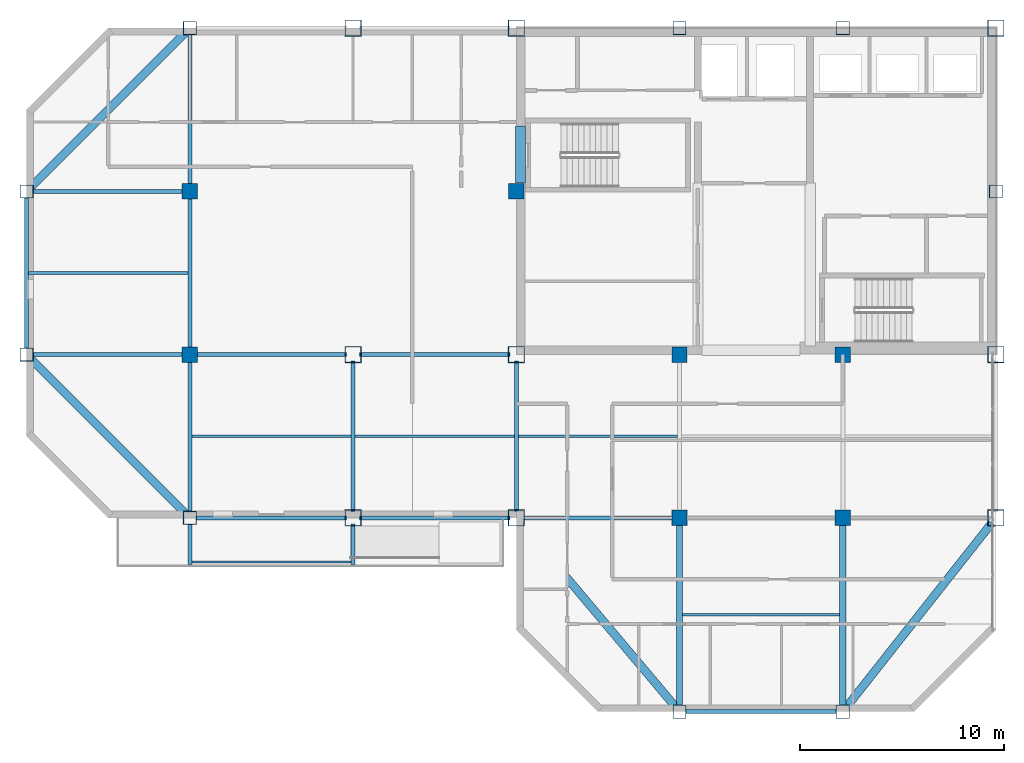
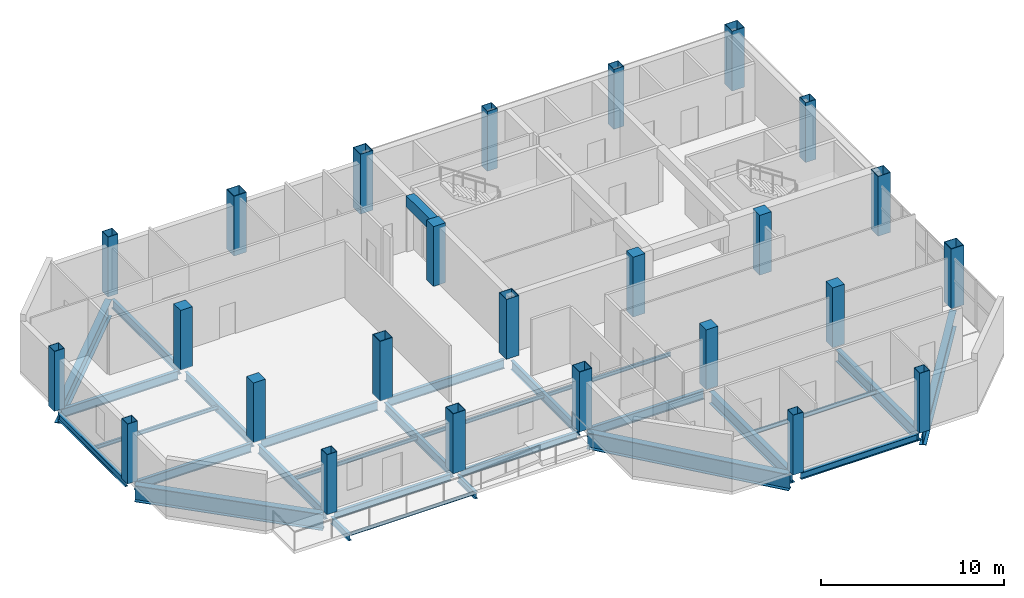
# One storey, part 1 of 13: 29 beams, 25 columns.
"""IFC4 building model written with IfcOpenShell, lengths in metres."""

from ifc_helpers import new_model, si_unit, direction, frame, origin, origin_2d, place, context, subcontext, project, spatial, rectangle, hollow_rectangle, i_section, extrude, material, material_profile, profile_set, type_object, element, save


model = new_model("IFC4")

# Units and contexts
model_context = context("Model", 3, precision=1e-05, world=origin(), true_north=direction((0.0, 1.0)))
body_context = subcontext(model_context, "Body", "Model", "MODEL_VIEW")
ifc_project = project(units=[si_unit("LENGTHUNIT", "METRE"), si_unit("AREAUNIT", "SQUARE_METRE"), si_unit("VOLUMEUNIT", "CUBIC_METRE"), si_unit("PLANEANGLEUNIT", "RADIAN"), si_unit("MASSUNIT", "GRAM", prefix="KILO")], contexts=[model_context])

# Site, building, storey
site_placement = place(None, origin())
site = spatial("IfcSite", under=ifc_project, at=site_placement, CompositionType="ELEMENT")
building_placement = place(site_placement, origin())
building = spatial("IfcBuilding", under=site, at=building_placement, Name="Qianrong Seaharbour Tower", CompositionType="ELEMENT")
storey_placement = place(building_placement, frame((0.0, 0.0, 295.199951171875)))
storey = spatial("IfcBuildingStorey", under=building, at=storey_placement, Name="L71", CompositionType="ELEMENT", Elevation=295.199951171875)

# Columns
ifc_material_1 = material(Name="Structural steel SN490B", Category="steel")
ifc_material_profile_1 = material_profile(ifc_material_1, hollow_rectangle(XDim=0.800048828125, YDim=0.800048828125, WallThickness=0.031982421875, at=origin_2d()), Name="BOX800x800x32")
ifc_profile_set_1 = profile_set([ifc_material_profile_1], Name="Structural steel SN490B")
column_type_1 = type_object("IfcColumnType", Name="COL-CFT-800", PredefinedType="COLUMN", material=ifc_profile_set_1)
for number, where, z_axis, x_axis, name in (
    (1, (32.5, 28.0, 0.0), (0.0, 0.0, 1.0), (1.0, 0.0, 0.0), "L71 Column MC-5 at G5/GE"),
    (2, (32.5, 36.0, 0.0), (0.0, 0.0, 1.0), (1.0, 0.0, 0.0), "L71 Column MC-5 at G5/GF"),
    (3, (32.5, 52.0, 0.0), (0.0, 0.0, 1.0), (1.0, 0.0, 0.0), "L71 Column MC-5 at G5/GH"),
    (4, (40.5, 28.0, 0.0), (0.0, 0.0, 1.0), (1.0, 0.0, 0.0), "L71 Column MC-5 at G6/GE"),
    (5, (40.5, 36.0, 0.0), (0.0, 0.0, 1.0), (1.0, 0.0, 0.0), "L71 Column MC-5 at G6/GF"),
    (6, (40.5, 52.0, 0.0), (0.0, 0.0, 1.0), (1.0, 0.0, 0.0), "L71 Column MC-5 at G6/GH"),
    (7, (64.0, 28.0, 0.0), (0.0, 0.0, 1.0), (1.0, 0.0, 0.0), "L71 Column MC-5 at G9/GE"),
    (8, (64.0, 36.0, 0.0), (0.0, 0.0, 1.0), (1.0, 0.0, 0.0), "L71 Column MC-5 at G9/GF"),
    (9, (64.0, 52.0, 0.0), (0.0, 0.0, 1.0), (1.0, 0.0, 0.0), "L71 Column MC-5 at G9/GH"),
):
    element("IfcColumn", number, at=place(storey_placement, frame(where, z_axis=z_axis, x_axis=x_axis)), inside=storey, type_object=column_type_1, Name=name, PredefinedType="COLUMN", context=body_context, shape_type="SweptSolid", body=[
        extrude(hollow_rectangle(XDim=0.800048828125, YDim=0.800048828125, WallThickness=0.031982421875, at=origin_2d()), origin(), (0.0, 0.0, 1.0), 4.0),
    ])
ifc_material_2 = material(Name="Concrete C50/60", Category="concrete")
ifc_material_profile_2 = material_profile(ifc_material_2, rectangle(XDim=0.75, YDim=0.75, at=origin_2d()), Name="RC750x750")
ifc_profile_set_2 = profile_set([ifc_material_profile_2], Name="Concrete C50/60")
column_type_2 = type_object("IfcColumnType", Name="COL-INT-RC750", PredefinedType="COLUMN", material=ifc_profile_set_2)
for number, where, z_axis, x_axis, name in (
    (10, (24.5, 36.0, 0.0), (0.0, 0.0, 1.0), (1.0, 0.0, 0.0), "L71 Column IC-4 at G4/GF"),
    (11, (24.5, 44.0, 0.0), (0.0, 0.0, 1.0), (1.0, 0.0, 0.0), "L71 Column IC-4 at G4/GG"),
    (12, (40.5, 44.0, 0.0), (0.0, 0.0, 1.0), (1.0, 0.0, 0.0), "L71 Column IC-4 at G6/GG"),
    (13, (48.5, 28.0, 0.0), (0.0, 0.0, 1.0), (1.0, 0.0, 0.0), "L71 Column IC-4 at G7/GE"),
    (14, (48.5, 36.0, 0.0), (0.0, 0.0, 1.0), (1.0, 0.0, 0.0), "L71 Column IC-4 at G7/GF"),
    (15, (56.5, 28.0, 0.0), (0.0, 0.0, 1.0), (1.0, 0.0, 0.0), "L71 Column IC-4 at G8/GE"),
    (16, (56.5, 36.0, 0.0), (0.0, 0.0, 1.0), (1.0, 0.0, 0.0), "L71 Column IC-4 at G8/GF"),
):
    element("IfcColumn", number, at=place(storey_placement, frame(where, z_axis=z_axis, x_axis=x_axis)), inside=storey, type_object=column_type_2, Name=name, PredefinedType="COLUMN", context=body_context, shape_type="SweptSolid", body=[
        extrude(rectangle(XDim=0.75, YDim=0.75, at=origin_2d()), origin(), (0.0, 0.0, 1.0), 4.0),
    ])
ifc_material_3 = material(Name="Structural steel SN400B", Category="steel")
ifc_material_profile_3 = material_profile(ifc_material_3, hollow_rectangle(XDim=0.64990234375, YDim=0.64990234375, WallThickness=0.028076171875, at=origin_2d()), Name="BOX650x650x28")
ifc_profile_set_3 = profile_set([ifc_material_profile_3], Name="Structural steel SN400B")
column_type_3 = type_object("IfcColumnType", Name="COL-PER-650", PredefinedType="COLUMN", material=ifc_profile_set_3)
for number, where, z_axis, x_axis, name in (
    (17, (16.5, 36.0, 0.0), (0.0, 0.0, 1.0), (1.0, 0.0, 0.0), "L71 Column PC-4 at G3/GF"),
    (18, (16.5, 44.0, 0.0), (0.0, 0.0, 1.0), (1.0, 0.0, 0.0), "L71 Column PC-4 at G3/GG"),
    (19, (24.5, 28.0, 0.0), (0.0, 0.0, 1.0), (1.0, 0.0, 0.0), "L71 Column PC-4 at G4/GE"),
    (20, (24.5, 52.0, 0.0), (0.0, 0.0, 1.0), (1.0, 0.0, 0.0), "L71 Column PC-4 at G4/GH"),
    (21, (48.5, 18.5, 0.0), (0.0, 0.0, 1.0), (1.0, 0.0, 0.0), "L71 Column PC-4 at G7/GD"),
    (22, (48.5, 52.0, 0.0), (0.0, 0.0, 1.0), (1.0, 0.0, 0.0), "L71 Column PC-4 at G7/GH"),
    (23, (56.5, 18.5, 0.0), (0.0, 0.0, 1.0), (1.0, 0.0, 0.0), "L71 Column PC-4 at G8/GD"),
    (24, (56.5, 52.0, 0.0), (0.0, 0.0, 1.0), (1.0, 0.0, 0.0), "L71 Column PC-4 at G8/GH"),
    (25, (64.0, 44.0, 0.0), (0.0, 0.0, 1.0), (1.0, 0.0, 0.0), "L71 Column PC-4 at G9/GG"),
):
    element("IfcColumn", number, at=place(storey_placement, frame(where, z_axis=z_axis, x_axis=x_axis)), inside=storey, type_object=column_type_3, Name=name, PredefinedType="COLUMN", context=body_context, shape_type="SweptSolid", body=[
        extrude(hollow_rectangle(XDim=0.64990234375, YDim=0.64990234375, WallThickness=0.028076171875, at=origin_2d()), origin(), (0.0, 0.0, 1.0), 4.0),
    ])

# Beams
ifc_material_profile_4 = material_profile(ifc_material_1, i_section(OverallWidth=0.199951171875, OverallDepth=0.60009765625, WebThickness=0.010986328125, FlangeThickness=0.01708984375, FilletRadius=0.02197265625, at=origin_2d()), Name="H600x200x11x17")
ifc_profile_set_4 = profile_set([ifc_material_profile_4], Name="Structural steel SN490B")
beam_type_1 = type_object("IfcBeamType", Name="BM-G-600", PredefinedType="BEAM", material=ifc_profile_set_4)
for number, where, z_axis, x_axis, name in (
    (26, (40.820068359375, 28.0, -0.514892578125), (1.0, 0.0, 0.0), (0.0, 1.0, 0.0), "L71 Primary Girder GE G6-G7"),
    (27, (16.820068359375, 36.0, -0.514892578125), (1.0, 0.0, 0.0), (0.0, 1.0, 0.0), "L71 Primary Girder GF G3-G4"),
    (28, (24.820068359375, 36.0, -0.514892578125), (1.0, 0.0, 0.0), (0.0, 1.0, 0.0), "L71 Primary Girder GF G4-G5"),
    (29, (32.820068359375, 36.0, -0.514892578125), (1.0, 0.0, 0.0), (0.0, 1.0, 0.0), "L71 Primary Girder GF G5-G6"),
    (30, (16.820068359375, 44.0, -0.514892578125), (1.0, 0.0, 0.0), (0.0, 1.0, 0.0), "L71 Primary Girder GG G3-G4"),
    (31, (24.5, 28.320068359375, -0.514892578125), (0.0, 1.0, 0.0), (-1.0, 0.0, 0.0), "L71 Primary Girder G4 GE-GF"),
    (32, (24.5, 36.320068359375, -0.514892578125), (0.0, 1.0, 0.0), (-1.0, 0.0, 0.0), "L71 Primary Girder G4 GF-GG"),
    (33, (24.5, 44.320068359375, -0.514892578125), (0.0, 1.0, 0.0), (-1.0, 0.0, 0.0), "L71 Primary Girder G4 GG-GH"),
    (34, (32.5, 28.320068359375, -0.514892578125), (0.0, 1.0, 0.0), (-1.0, 0.0, 0.0), "L71 Primary Girder G5 GE-GF"),
    (35, (40.5, 28.320068359375, -0.514892578125), (0.0, 1.0, 0.0), (-1.0, 0.0, 0.0), "L71 Primary Girder G6 GE-GF"),
):
    element("IfcBeam", number, at=place(storey_placement, frame(where, z_axis=z_axis, x_axis=x_axis)), inside=storey, type_object=beam_type_1, Name=name, PredefinedType="BEAM", context=body_context, shape_type="SweptSolid", body=[
        extrude(i_section(OverallWidth=0.199951171875, OverallDepth=0.60009765625, WebThickness=0.010986328125, FlangeThickness=0.01708984375, FilletRadius=0.02197265625, at=origin_2d()), origin(), (0.0, 0.0, 1.0), 7.35986328125),
    ])
ifc_material_profile_5 = material_profile(ifc_material_1, i_section(OverallWidth=0.300048828125, OverallDepth=0.800048828125, WebThickness=0.013916015625, FlangeThickness=0.02587890625, FilletRadius=0.028076171875, at=origin_2d()), Name="H800x300x14x26")
ifc_profile_set_5 = profile_set([ifc_material_profile_5], Name="Structural steel SN490B")
beam_type_2 = type_object("IfcBeamType", Name="BM-G-800", PredefinedType="BEAM", material=ifc_profile_set_5)
for number, where, z_axis, x_axis, name in (
    (36, (48.5, 18.820068359375, -0.614990234375), (0.0, 1.0, 0.0), (-1.0, 0.0, 0.0), "L71 Primary Girder G7 GD-GE"),
    (37, (56.5, 18.820068359375, -0.614990234375), (0.0, 1.0, 0.0), (-1.0, 0.0, 0.0), "L71 Primary Girder G8 GD-GE"),
):
    element("IfcBeam", number, at=place(storey_placement, frame(where, z_axis=z_axis, x_axis=x_axis)), inside=storey, type_object=beam_type_2, Name=name, PredefinedType="BEAM", context=body_context, shape_type="SweptSolid", body=[
        extrude(i_section(OverallWidth=0.300048828125, OverallDepth=0.800048828125, WebThickness=0.013916015625, FlangeThickness=0.02587890625, FilletRadius=0.028076171875, at=origin_2d()), origin(), (0.0, 0.0, 1.0), 8.85986328125),
    ])
ifc_material_profile_6 = material_profile(ifc_material_3, i_section(OverallWidth=0.125, OverallDepth=0.25, WebThickness=0.006103515625, FlangeThickness=0.009033203125, FilletRadius=0.011962890625, at=origin_2d()), Name="H250x125x6x9")
ifc_profile_set_6 = profile_set([ifc_material_profile_6], Name="Structural steel SN400B")
beam_type_3 = type_object("IfcBeamType", Name="BM-J-250", PredefinedType="JOIST", material=ifc_profile_set_6)
for number, where, z_axis, x_axis, name in (
    (38, (16.60009765625, 40.0, -0.33984375), (1.0, 0.0, 0.0), (0.0, 1.0, 0.0), "L71 Composite Floor Joist G3-G4/GF-GG"),
    (39, (24.60009765625, 32.0, -0.33984375), (1.0, 0.0, 0.0), (0.0, 1.0, 0.0), "L71 Composite Floor Joist G4-G5/GE-GF"),
    (40, (32.60009765625, 32.0, -0.33984375), (1.0, 0.0, 0.0), (0.0, 1.0, 0.0), "L71 Composite Floor Joist G5-G6/GE-GF"),
    (41, (40.60009765625, 32.0, -0.33984375), (1.0, 0.0, 0.0), (0.0, 1.0, 0.0), "L71 Composite Floor Joist G6-G7/GE-GF"),
):
    element("IfcBeam", number, at=place(storey_placement, frame(where, z_axis=z_axis, x_axis=x_axis)), inside=storey, type_object=beam_type_3, Name=name, PredefinedType="JOIST", context=body_context, shape_type="SweptSolid", body=[
        extrude(i_section(OverallWidth=0.125, OverallDepth=0.25, WebThickness=0.006103515625, FlangeThickness=0.009033203125, FilletRadius=0.011962890625, at=origin_2d()), origin(), (0.0, 0.0, 1.0), 7.7998046875),
    ])
beam_1_placement = place(storey_placement, frame((48.64990234375, 23.25, -0.33984375), z_axis=(1.0, 0.0, 0.0), x_axis=(0.0, 1.0, 0.0)))
element("IfcBeam", 42, at=beam_1_placement, inside=storey, type_object=beam_type_3, Name="L71 Composite Floor Joist G7-G8/GD-GE", PredefinedType="JOIST", context=body_context, shape_type="SweptSolid", body=[
    extrude(i_section(OverallWidth=0.125, OverallDepth=0.25, WebThickness=0.006103515625, FlangeThickness=0.009033203125, FilletRadius=0.011962890625, at=origin_2d()), origin(), (0.0, 0.0, 1.0), 7.7001953125),
])
ifc_material_4 = material(Name="Concrete C60/75", Category="concrete")
ifc_material_profile_7 = material_profile(ifc_material_4, rectangle(XDim=0.5, YDim=0.75, at=origin_2d()), Name="RC500x750")
ifc_profile_set_7 = profile_set([ifc_material_profile_7], Name="Concrete C60/75")
beam_type_4 = type_object("IfcBeamType", Name="BM-LINTEL-750", PredefinedType="LINTEL", material=ifc_profile_set_7)
beam_2_placement = place(storey_placement, frame((40.7099609375, 44.39990234375, 3.41015625), z_axis=(0.0, 1.0, 0.0), x_axis=(-1.0, 0.0, 0.0)))
element("IfcBeam", 43, at=beam_2_placement, inside=storey, type_object=beam_type_4, Name="L71 Core Coupling Lintel Beam West", PredefinedType="LINTEL", context=body_context, shape_type="SweptSolid", body=[
    extrude(rectangle(XDim=0.5, YDim=0.75, at=origin_2d()), origin(), (0.0, 0.0, 1.0), 2.800048828125),
])
ifc_material_profile_8 = material_profile(ifc_material_3, i_section(OverallWidth=0.10009765625, OverallDepth=0.199951171875, WebThickness=0.005615234375, FlangeThickness=0.008056640625, FilletRadius=0.010986328125, at=origin_2d()), Name="H200x100x5.5x8")
ifc_profile_set_8 = profile_set([ifc_material_profile_8], Name="Structural steel SN400B")
beam_type_5 = type_object("IfcBeamType", Name="BM-PURLIN-200", PredefinedType="JOIST", material=ifc_profile_set_8)
beam_3_placement = place(storey_placement, frame((24.60009765625, 25.840087890625, -0.31494140625), z_axis=(1.0, 0.0, 0.0), x_axis=(0.0, 1.0, 0.0)))
element("IfcBeam", 44, at=beam_3_placement, inside=storey, type_object=beam_type_5, Name="L71 Harbourfront Ribbon Edge Beam G5", PredefinedType="JOIST", context=body_context, shape_type="SweptSolid", body=[
    extrude(i_section(OverallWidth=0.10009765625, OverallDepth=0.199951171875, WebThickness=0.005615234375, FlangeThickness=0.008056640625, FilletRadius=0.010986328125, at=origin_2d()), origin(), (0.0, 0.0, 1.0), 7.7998046875),
])
ifc_material_profile_9 = material_profile(ifc_material_1, i_section(OverallWidth=0.199951171875, OverallDepth=0.449951171875, WebThickness=0.009033203125, FlangeThickness=0.013916015625, FilletRadius=0.01806640625, at=origin_2d()), Name="H450x200x9x14")
ifc_profile_set_9 = profile_set([ifc_material_profile_9], Name="Structural steel SN490B")
beam_type_6 = type_object("IfcBeamType", Name="BM-RIB-450", PredefinedType="BEAM", material=ifc_profile_set_9)
for number, where, z_axis, x_axis, name in (
    (45, (24.5, 27.699951171875, -0.43994140625), (0.0, -1.0, 0.0), (1.0, 0.0, 0.0), "L71 Harbourfront Ribbon Cantilever Bracket G4"),
    (46, (32.5, 27.699951171875, -0.43994140625), (0.0, -1.0, 0.0), (1.0, 0.0, 0.0), "L71 Harbourfront Ribbon Cantilever Bracket G5"),
):
    element("IfcBeam", number, at=place(storey_placement, frame(where, z_axis=z_axis, x_axis=x_axis)), inside=storey, type_object=beam_type_6, Name=name, PredefinedType="BEAM", context=body_context, shape_type="SweptSolid", body=[
        extrude(i_section(OverallWidth=0.199951171875, OverallDepth=0.449951171875, WebThickness=0.009033203125, FlangeThickness=0.013916015625, FilletRadius=0.01806640625, at=origin_2d()), origin(), (0.0, 0.0, 1.0), 1.97998046875),
    ])
ifc_material_profile_10 = material_profile(ifc_material_3, i_section(OverallWidth=0.199951171875, OverallDepth=0.449951171875, WebThickness=0.009033203125, FlangeThickness=0.013916015625, FilletRadius=0.01806640625, at=origin_2d()), Name="H450x200x9x14")
ifc_profile_set_10 = profile_set([ifc_material_profile_10], Name="Structural steel SN400B")
beam_type_7 = type_object("IfcBeamType", Name="BM-SP-450", PredefinedType="SPANDREL", material=ifc_profile_set_10)
for number, where, z_axis, x_axis, name in (
    (47, (48.820068359375, 18.5, -0.43994140625), (1.0, 0.0, 0.0), (0.0, 1.0, 0.0), "L71 Spandrel Girder GD G7-G8"),
    (48, (24.820068359375, 28.0, -0.43994140625), (1.0, 0.0, 0.0), (0.0, 1.0, 0.0), "L71 Spandrel Girder GE G4-G5"),
    (49, (32.820068359375, 28.0, -0.43994140625), (1.0, 0.0, 0.0), (0.0, 1.0, 0.0), "L71 Spandrel Girder GE G5-G6"),
    (50, (16.5, 36.320068359375, -0.43994140625), (0.0, 1.0, 0.0), (-1.0, 0.0, 0.0), "L71 Spandrel Girder G3 GF-GG"),
):
    element("IfcBeam", number, at=place(storey_placement, frame(where, z_axis=z_axis, x_axis=x_axis)), inside=storey, type_object=beam_type_7, Name=name, PredefinedType="SPANDREL", context=body_context, shape_type="SweptSolid", body=[
        extrude(i_section(OverallWidth=0.199951171875, OverallDepth=0.449951171875, WebThickness=0.009033203125, FlangeThickness=0.013916015625, FilletRadius=0.01806640625, at=origin_2d()), origin(), (0.0, 0.0, 1.0), 7.35986328125),
    ])
ifc_material_profile_11 = material_profile(ifc_material_1, i_section(OverallWidth=0.39990234375, OverallDepth=1.10009765625, WebThickness=0.02001953125, FlangeThickness=0.035888671875, at=origin_2d()), Name="BH1100x400x20x36")
ifc_profile_set_11 = profile_set([ifc_material_profile_11], Name="Structural steel SN490B")
beam_type_8 = type_object("IfcBeamType", Name="BM-TG-1100", PredefinedType="BEAM", material=ifc_profile_set_11)
for number, where, z_axis, x_axis, name in (
    (51, (24.273681640625, 28.226318359375, -0.764892578125), (-0.707106781187, 0.707106781187, 0.0), (-0.707106781187, -0.707106781187, 0.0), "L71 Chamfer Corner Spandrel Girder G3/GE"),
    (52, (24.273681640625, 51.773681640625, -0.764892578125), (-0.707106781187, -0.707106781187, 0.0), (0.707106781187, -0.707106781187, 0.0), "L71 Chamfer Corner Spandrel Girder G3/GH"),
):
    element("IfcBeam", number, at=place(storey_placement, frame(where, z_axis=z_axis, x_axis=x_axis)), inside=storey, type_object=beam_type_8, Name=name, PredefinedType="BEAM", context=body_context, shape_type="SweptSolid", body=[
        extrude(i_section(OverallWidth=0.39990234375, OverallDepth=1.10009765625, WebThickness=0.02001953125, FlangeThickness=0.035888671875, at=origin_2d()), origin(), (0.0, 0.0, 1.0), 10.673583984375),
    ])
beam_4_placement = place(storey_placement, frame((48.2939453125, 18.744873046875, -0.764892578125), z_axis=(-0.644151063101, 0.764898299061, 0.0), x_axis=(-0.764898299061, -0.644151063101, 0.0)))
element("IfcBeam", 53, at=beam_4_placement, inside=storey, type_object=beam_type_8, Name="L71 Chamfer Corner Spandrel Girder G6/GD", PredefinedType="BEAM", context=body_context, shape_type="SweptSolid", body=[
    extrude(i_section(OverallWidth=0.39990234375, OverallDepth=1.10009765625, WebThickness=0.02001953125, FlangeThickness=0.035888671875, at=origin_2d()), origin(), (0.0, 0.0, 1.0), 11.77978515625),
])
beam_5_placement = place(storey_placement, frame((56.6982421875, 18.751220703125, -0.764892578125), z_axis=(0.619653955715, 0.784875133487, 0.0), x_axis=(-0.784875133487, 0.619653955715, 0.0)))
element("IfcBeam", 54, at=beam_5_placement, inside=storey, type_object=beam_type_8, Name="L71 Chamfer Corner Spandrel Girder G9/GD", PredefinedType="BEAM", context=body_context, shape_type="SweptSolid", body=[
    extrude(i_section(OverallWidth=0.39990234375, OverallDepth=1.10009765625, WebThickness=0.02001953125, FlangeThickness=0.035888671875, at=origin_2d()), origin(), (0.0, 0.0, 1.0), 11.463623046875),
])

save(model, "model.ifc")
